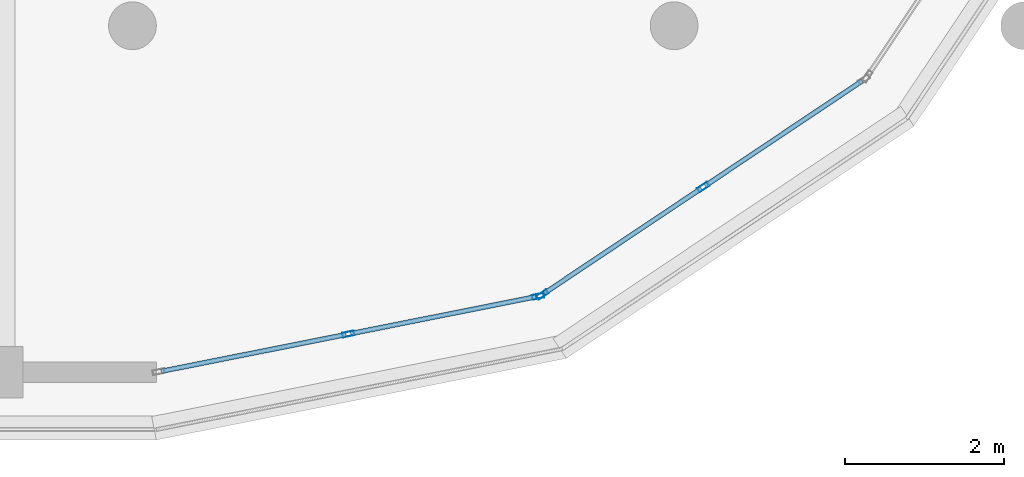
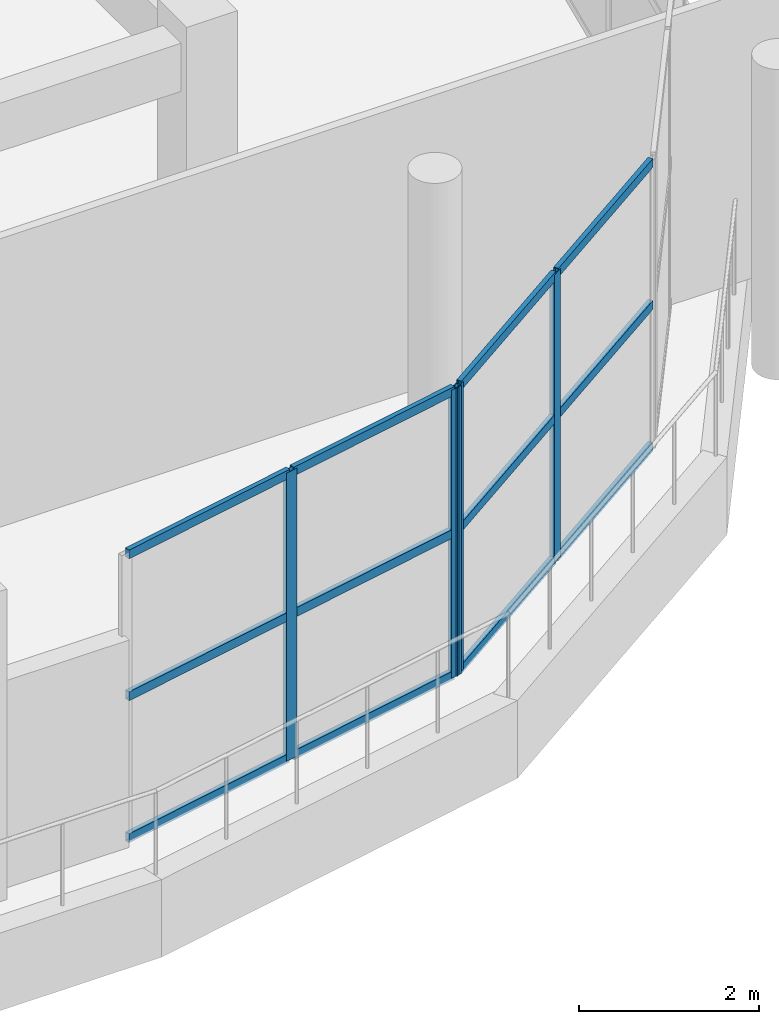
# One storey, part 30 of 63: 16 members, 2 elements without a shape of their own.
"""IFC4 building model written with IfcOpenShell, lengths in metres."""

import ifcopenshell
import ifcopenshell.guid

model = None  # the IFC model being written
_history = None  # IfcOwnerHistory: only IFC2X3 demands one
_inside = {}  # id of a spatial element -> (the spatial element, [elements in it])
_under = {}  # id of a project, library or spatial element -> (it, [spatial elements below it])
_declared = {}  # id of a project -> (the project, [libraries it declares])
_typed = {}  # id of a type object -> (the type object, [elements of that type])
_made_of = {}  # id of a material, layer set ... -> (it, [elements and type objects made of it])


def new_model(schema):
    """Start an empty IFC model of exactly this schema.

    Asked for "IFC4X3", IfcOpenShell would pick the latest addendum, in which some entities
    have other attributes; the version numbers below select the first issue.
    IFC2X3 requires an IfcOwnerHistory on every rooted entity: one is made here for all.
    """
    global model, _history
    if schema == "IFC4X3":
        model = ifcopenshell.file(schema_version=(4, 3, 0, 0))
    else:
        model = ifcopenshell.file(schema=schema)
    _inside.clear()
    _under.clear()
    _declared.clear()
    _typed.clear()
    _made_of.clear()
    _history = None
    if model.schema == "IFC2X3":
        org = make("IfcOrganization", Name="unknown")
        user = make(
            "IfcPersonAndOrganization",
            ThePerson=make("IfcPerson", FamilyName="unknown"),
            TheOrganization=org,
        )
        app = make(
            "IfcApplication",
            ApplicationDeveloper=org,
            Version="unknown",
            ApplicationFullName="unknown",
            ApplicationIdentifier="unknown",
        )
        _history = make(
            "IfcOwnerHistory",
            OwningUser=user,
            OwningApplication=app,
            ChangeAction="ADDED",
            CreationDate=0,
        )
    return model


def make(cls, **values):
    """One entity of the class cls with the attributes given. An attribute that is None is left unset."""
    return model.create_entity(
        cls, **{name: value for name, value in values.items() if value is not None}
    )


def rooted(cls, **values):
    """An entity with a GlobalId (a new one), such as an element, a storey or a relation."""
    return make(cls, GlobalId=ifcopenshell.guid.new(), OwnerHistory=_history, **values)


def si_unit(unit_type, name, prefix=None):
    """IfcSIUnit, for example si_unit("LENGTHUNIT", "METRE", prefix="MILLI")."""
    return make("IfcSIUnit", UnitType=unit_type, Prefix=prefix, Name=name)


def assignment(units):
    """IfcUnitAssignment: the units of a project."""
    return None if units is None else make("IfcUnitAssignment", Units=units)


def point(xyz):
    """IfcCartesianPoint."""
    return None if xyz is None else make("IfcCartesianPoint", Coordinates=xyz)


def direction(xyz):
    """IfcDirection."""
    return None if xyz is None else make("IfcDirection", DirectionRatios=xyz)


def frame(location, z_axis=None, x_axis=None):
    """IfcAxis2Placement3D, a coordinate frame: its origin and axes. An axis left out is left unset."""
    return make(
        "IfcAxis2Placement3D",
        Location=point(location),
        Axis=direction(z_axis),
        RefDirection=direction(x_axis),
    )


def frame_2d(location, x_axis=None):
    """IfcAxis2Placement2D, a coordinate frame in the plane: its origin and x axis."""
    return make(
        "IfcAxis2Placement2D", Location=point(location), RefDirection=direction(x_axis)
    )


def origin():
    """The frame at (0, 0, 0) with its axes left unset."""
    return frame((0.0, 0.0, 0.0))


def origin_2d():
    """The frame at (0, 0) in the plane with its x axis left unset."""
    return frame_2d((0.0, 0.0))


def place(relative_to, where):
    """IfcLocalPlacement: puts the frame where relative to a parent placement (None: the world)."""
    return make(
        "IfcLocalPlacement", PlacementRelTo=relative_to, RelativePlacement=where
    )


def context(
    kind, dimensions, precision=None, world=None, true_north=None, identifier=None
):
    """IfcGeometricRepresentationContext, for example the 3D "Model" context."""
    return make(
        "IfcGeometricRepresentationContext",
        ContextIdentifier=identifier,
        ContextType=kind,
        CoordinateSpaceDimension=dimensions,
        Precision=precision,
        WorldCoordinateSystem=world,
        TrueNorth=true_north,
    )


def subcontext(parent, identifier, kind, view, scale=None):
    """IfcGeometricRepresentationSubContext, for example "Body" below "Model"."""
    return make(
        "IfcGeometricRepresentationSubContext",
        ContextIdentifier=identifier,
        ContextType=kind,
        ParentContext=parent,
        TargetScale=scale,
        TargetView=view,
    )


def project(units=None, contexts=None):
    """IfcProject with its units and contexts."""
    return rooted(
        "IfcProject",
        Name="project",
        RepresentationContexts=contexts,
        UnitsInContext=assignment(units),
    )


def spatial(cls, under=None, at=None, **own):
    """A site, building, storey or space (cls), placed at a placement, below another one or the project."""
    s = rooted(cls, ObjectPlacement=at, **own)
    if under is not None:
        _under.setdefault(under.id(), (under, []))[1].append(s)
    return s


def profile(cls, at=None, kind="AREA", **sizes):
    """A parametric profile (cls). Its sizes go by their IFC names, for example OverallWidth=200.0."""
    return make(cls, ProfileType=kind, Position=at, **sizes)


def hollow_rectangle(**sizes):
    """IfcRectangleHollowProfileDef."""
    return profile("IfcRectangleHollowProfileDef", **sizes)


def extrude(swept, where, along, depth):
    """IfcExtrudedAreaSolid: the profile swept, set in the frame where, extruded along a direction by depth."""
    return make(
        "IfcExtrudedAreaSolid",
        SweptArea=swept,
        Position=where,
        ExtrudedDirection=direction(along),
        Depth=depth,
    )


def shape(context_of_items, identifier, shape_type, items):
    """IfcShapeRepresentation: the items that make up one representation, for example the "Body"."""
    return make(
        "IfcShapeRepresentation",
        ContextOfItems=context_of_items,
        RepresentationIdentifier=identifier,
        RepresentationType=shape_type,
        Items=items,
    )


def material(Name=None, Category=None):
    """IfcMaterial."""
    return make("IfcMaterial", Name=Name, Category=Category)


def layer(
    of_material, thickness, ventilated=None, Name=None, Category=None, Priority=None
):
    """IfcMaterialLayer: one layer of a wall or slab, of a material (None: an air gap)."""
    return make(
        "IfcMaterialLayer",
        Material=of_material,
        LayerThickness=thickness,
        IsVentilated=ventilated,
        Name=Name,
        Category=Category,
        Priority=Priority,
    )


def layer_set(layers, Name=None):
    """IfcMaterialLayerSet."""
    return make("IfcMaterialLayerSet", MaterialLayers=layers, LayerSetName=Name)


def material_profile(
    of_material, cross_section, Name=None, Category=None, Priority=None
):
    """IfcMaterialProfile: a cross section and its material."""
    return make(
        "IfcMaterialProfile",
        Name=Name,
        Material=of_material,
        Profile=cross_section,
        Priority=Priority,
        Category=Category,
    )


def profile_set(profiles, Name=None, composite=None):
    """IfcMaterialProfileSet."""
    return make(
        "IfcMaterialProfileSet",
        Name=Name,
        MaterialProfiles=profiles,
        CompositeProfile=composite,
    )


def made_of(thing, what):
    """Note that an element or type object is made of a material, layer set ...; save() writes the relation."""
    if what is not None:
        _made_of.setdefault(what.id(), (what, []))[1].append(thing)
    return thing


def type_object(cls, material=None, **own):
    """A type object (cls), such as IfcWallType, which elements share."""
    return made_of(rooted(cls, **own), material)


def element(
    cls,
    number,
    at=None,
    inside=None,
    cuts=None,
    type_object=None,
    material=None,
    context=None,
    identifier="Body",
    shape_type=None,
    held_by="IfcProductDefinitionShape",
    body=None,
    shapes=None,
    **own,
):
    """One element of the class cls, such as IfcWall. Its Tag is "e" and its number.

    at: its placement. inside: the storey or other place that contains it. cuts: it is an
    opening in that element (IfcRelVoidsElement). A single representation is given by context,
    identifier, shape_type and body (its items); several are given by shapes. held_by: the class
    of the entity that holds the representations. save() writes the other relations.
    """
    e = rooted(cls, Tag="e%d" % number, ObjectPlacement=at, **own)
    if body is not None:
        shapes = [shape(context, identifier, shape_type, body)]
    if shapes is not None:
        e.Representation = make(held_by, Representations=shapes)
    if inside is not None:
        _inside.setdefault(inside.id(), (inside, []))[1].append(e)
    if cuts is not None:
        rooted(
            "IfcRelVoidsElement", RelatingBuildingElement=cuts, RelatedOpeningElement=e
        )
    if type_object is not None:
        _typed.setdefault(type_object.id(), (type_object, []))[1].append(e)
    return made_of(e, material)


def aggregate(whole, parts):
    """IfcRelAggregates: a whole, such as a stair, and the parts it consists of."""
    return rooted("IfcRelAggregates", RelatingObject=whole, RelatedObjects=parts)


def save(model, path):
    """Write the relations noted so far, then the file.

    IfcRelAggregates (storeys below a building ...), IfcRelContainedInSpatialStructure (elements
    in a storey), IfcRelDefinesByType, IfcRelAssociatesMaterial and IfcRelDeclares: one each for
    every whole, place, type object, material and project.
    """
    for whole, parts in _under.values():
        aggregate(whole, parts)
    for where, things in _inside.values():
        rooted(
            "IfcRelContainedInSpatialStructure",
            RelatedElements=things,
            RelatingStructure=where,
        )
    for kind, things in _typed.values():
        rooted("IfcRelDefinesByType", RelatedObjects=things, RelatingType=kind)
    for what, things in _made_of.values():
        rooted("IfcRelAssociatesMaterial", RelatedObjects=things, RelatingMaterial=what)
    for by, libraries in _declared.values():
        rooted("IfcRelDeclares", RelatingContext=by, RelatedDefinitions=libraries)
    model.write(path)


model = new_model("IFC4")

# Units and contexts
model_context = context("Model", 3, precision=1e-05, world=origin(), true_north=direction((0.0, 1.0)))
body_context = subcontext(model_context, "Body", "Model", "MODEL_VIEW")
ifc_project = project(units=[si_unit("LENGTHUNIT", "METRE"), si_unit("AREAUNIT", "SQUARE_METRE"), si_unit("VOLUMEUNIT", "CUBIC_METRE"), si_unit("PLANEANGLEUNIT", "RADIAN"), si_unit("MASSUNIT", "GRAM", prefix="KILO")], contexts=[model_context])

# Site, building, storey
site_placement = place(None, origin())
site = spatial("IfcSite", under=ifc_project, at=site_placement, CompositionType="ELEMENT")
building_placement = place(site_placement, origin())
building = spatial("IfcBuilding", under=site, at=building_placement, Name="Zizhar Promenade General Hospital", CompositionType="ELEMENT")
storey_placement = place(building_placement, frame((0.0, 0.0, 18.0)))
storey = spatial("IfcBuildingStorey", under=building, at=storey_placement, Name="L04", CompositionType="ELEMENT", Elevation=18.0)

# Curtain wall, members
ifc_material_1 = material(Name="Anodised aluminium 6063-T6 and low-E glass", Category="aluminium")
ifc_layer = layer(ifc_material_1, 0.159912109375)
ifc_layer_set = layer_set([ifc_layer], Name="Anodised aluminium 6063-T6 and low-E glass")
curtain_wall_type = type_object("IfcCurtainWallType", Name="CW-WARD-ARC", PredefinedType="NOTDEFINED", material=ifc_layer_set)
curtain_wall_1_placement = place(storey_placement, origin())
curtain_wall_1 = element("IfcCurtainWall", 1, at=curtain_wall_1_placement, inside=storey, type_object=curtain_wall_type, Name="Ward Semicircular End Glazing L04-01", PredefinedType="NOTDEFINED")
ifc_material_2 = material(Name="Anodised aluminium 6063-T6", Category="aluminium")
ifc_material_profile_1 = material_profile(ifc_material_2, hollow_rectangle(XDim=0.06005859375, YDim=0.14990234375, WallThickness=0.00390625, at=origin_2d()))
ifc_profile_set_1 = profile_set([ifc_material_profile_1], Name="Anodised aluminium 6063-T6")
member_type_1 = type_object("IfcMemberType", Name="CWM-ALU-150x60", PredefinedType="MULLION", material=ifc_profile_set_1)
member_1_placement = place(storey_placement, frame((123.79248046875, 0.953369140625, 0.0), z_axis=(0.0, 0.0, 1.0), x_axis=(0.195087259275, -0.980785889615, 0.0)))
member_1 = element("IfcMember", 2, at=member_1_placement, type_object=member_type_1, Name="CW-12 mullion 1", PredefinedType="MULLION", context=body_context, shape_type="SweptSolid", body=[
    extrude(hollow_rectangle(XDim=0.06005859375, YDim=0.14990234375, WallThickness=0.00390625, at=origin_2d()), origin(), (0.0, 0.0, 1.0), 3.89990234375),
])
member_2_placement = place(storey_placement, frame((121.410888671875, 0.4794921875, 0.0), z_axis=(0.0, 0.0, 1.0), x_axis=(0.195087259275, -0.980785889615, 0.0)))
member_2 = element("IfcMember", 3, at=member_2_placement, type_object=member_type_1, Name="CW-12 mullion 2", PredefinedType="MULLION", context=body_context, shape_type="SweptSolid", body=[
    extrude(hollow_rectangle(XDim=0.06005859375, YDim=0.14990234375, WallThickness=0.00390625, at=origin_2d()), origin(), (0.0, 0.0, 1.0), 3.89990234375),
])

curtain_wall_2_placement = place(storey_placement, origin())
curtain_wall_2 = element("IfcCurtainWall", 4, at=curtain_wall_2_placement, inside=storey, type_object=curtain_wall_type, Name="Ward Semicircular End Glazing L04-02", PredefinedType="NOTDEFINED")
member_3_placement = place(storey_placement, frame((125.86572265625, 2.32470703125, 0.0), z_axis=(0.0, 0.0, 1.0), x_axis=(0.555582352095, -0.831461514468, 0.0)))
member_3 = element("IfcMember", 5, at=member_3_placement, type_object=member_type_1, Name="CW-12 mullion 2", PredefinedType="MULLION", context=body_context, shape_type="SweptSolid", body=[
    extrude(hollow_rectangle(XDim=0.06005859375, YDim=0.14990234375, WallThickness=0.00390625, at=origin_2d()), origin(), (0.0, 0.0, 1.0), 3.89990234375),
])
member_4_placement = place(storey_placement, frame((123.8466796875, 0.975830078125, 0.0), z_axis=(0.0, 0.0, 1.0), x_axis=(0.555582352095, -0.831461514468, 0.0)))
member_4 = element("IfcMember", 6, at=member_4_placement, type_object=member_type_1, Name="CW-12 mullion 3", PredefinedType="MULLION", context=body_context, shape_type="SweptSolid", body=[
    extrude(hollow_rectangle(XDim=0.06005859375, YDim=0.14990234375, WallThickness=0.00390625, at=origin_2d()), origin(), (0.0, 0.0, 1.0), 3.89990234375),
])

# Member
ifc_material_3 = material(Name="Anodised aluminium 6063-T6", Category="aluminium")
ifc_material_profile_2 = material_profile(ifc_material_3, hollow_rectangle(XDim=0.06005859375, YDim=0.1201171875, WallThickness=0.00390625, at=origin_2d()))
ifc_profile_set_2 = profile_set([ifc_material_profile_2], Name="Anodised aluminium 6063-T6")
member_type_2 = type_object("IfcMemberType", Name="CWT-ALU-120x60", PredefinedType="USERDEFINED", material=ifc_profile_set_2)
member_5_placement = place(storey_placement, frame((123.762939453125, 0.947509765625, 0.030029296875), z_axis=(-0.98077054851, -0.195164369634, 0.0), x_axis=(0.195164369634, -0.98077054851, 0.0)))
member_5 = element("IfcMember", 7, at=member_5_placement, type_object=member_type_2, Name="CW-12 transom 1.1", ObjectType="TRANSOM", PredefinedType="USERDEFINED", context=body_context, shape_type="SweptSolid", body=[
    extrude(hollow_rectangle(XDim=0.06005859375, YDim=0.1201171875, WallThickness=0.00390625, at=origin_2d()), origin(), (0.0, 0.0, 1.0), 2.3681640625),
])

member_6_placement = place(storey_placement, frame((123.762939453125, 0.947509765625, 1.949951171875), z_axis=(-0.98077054851, -0.195164369634, 0.0), x_axis=(0.195164369634, -0.98077054851, 0.0)))
member_6 = element("IfcMember", 8, at=member_6_placement, type_object=member_type_2, Name="CW-12 transom 1.2", ObjectType="TRANSOM", PredefinedType="USERDEFINED", context=body_context, shape_type="SweptSolid", body=[
    extrude(hollow_rectangle(XDim=0.06005859375, YDim=0.1201171875, WallThickness=0.00390625, at=origin_2d()), origin(), (0.0, 0.0, 1.0), 2.3681640625),
])

member_7_placement = place(storey_placement, frame((123.762939453125, 0.947509765625, 3.8701171875), z_axis=(-0.98077054851, -0.195164369634, 0.0), x_axis=(0.195164369634, -0.98077054851, 0.0)))
member_7 = element("IfcMember", 9, at=member_7_placement, type_object=member_type_2, Name="CW-12 transom 1.3", ObjectType="TRANSOM", PredefinedType="USERDEFINED", context=body_context, shape_type="SweptSolid", body=[
    extrude(hollow_rectangle(XDim=0.06005859375, YDim=0.1201171875, WallThickness=0.00390625, at=origin_2d()), origin(), (0.0, 0.0, 1.0), 2.3681640625),
])

member_8_placement = place(storey_placement, frame((121.381591796875, 0.4736328125, 0.030029296875), z_axis=(-0.980794200422, -0.195045472693, 0.0), x_axis=(0.195045472693, -0.980794200422, 0.0)))
member_8 = element("IfcMember", 10, at=member_8_placement, type_object=member_type_2, Name="CW-12 transom 2.1", ObjectType="TRANSOM", PredefinedType="USERDEFINED", context=body_context, shape_type="SweptSolid", body=[
    extrude(hollow_rectangle(XDim=0.06005859375, YDim=0.1201171875, WallThickness=0.00390625, at=origin_2d()), origin(), (0.0, 0.0, 1.0), 2.3681640625),
])

member_9_placement = place(storey_placement, frame((121.381591796875, 0.4736328125, 1.949951171875), z_axis=(-0.980794200422, -0.195045472693, 0.0), x_axis=(0.195045472693, -0.980794200422, 0.0)))
member_9 = element("IfcMember", 11, at=member_9_placement, type_object=member_type_2, Name="CW-12 transom 2.2", ObjectType="TRANSOM", PredefinedType="USERDEFINED", context=body_context, shape_type="SweptSolid", body=[
    extrude(hollow_rectangle(XDim=0.06005859375, YDim=0.1201171875, WallThickness=0.00390625, at=origin_2d()), origin(), (0.0, 0.0, 1.0), 2.3681640625),
])

member_10_placement = place(storey_placement, frame((121.381591796875, 0.4736328125, 3.8701171875), z_axis=(-0.980794200422, -0.195045472693, 0.0), x_axis=(0.195045472693, -0.980794200422, 0.0)))
member_10 = element("IfcMember", 12, at=member_10_placement, type_object=member_type_2, Name="CW-12 transom 2.3", ObjectType="TRANSOM", PredefinedType="USERDEFINED", context=body_context, shape_type="SweptSolid", body=[
    extrude(hollow_rectangle(XDim=0.06005859375, YDim=0.1201171875, WallThickness=0.00390625, at=origin_2d()), origin(), (0.0, 0.0, 1.0), 2.3681640625),
])

aggregate(curtain_wall_1, [member_1, member_2, member_5, member_6, member_7, member_8, member_9, member_10])

member_11_placement = place(storey_placement, frame((127.859619140625, 3.6572265625, 0.030029296875), z_axis=(-0.831462978956, -0.555580160396, 0.0), x_axis=(0.555580160396, -0.831462978956, 0.0)))
member_11 = element("IfcMember", 13, at=member_11_placement, type_object=member_type_2, Name="CW-12 transom 1.1", ObjectType="TRANSOM", PredefinedType="USERDEFINED", context=body_context, shape_type="SweptSolid", body=[
    extrude(hollow_rectangle(XDim=0.06005859375, YDim=0.1201171875, WallThickness=0.00390625, at=origin_2d()), origin(), (0.0, 0.0, 1.0), 2.3681640625),
])

member_12_placement = place(storey_placement, frame((127.859619140625, 3.6572265625, 1.949951171875), z_axis=(-0.831462978956, -0.555580160396, 0.0), x_axis=(0.555580160396, -0.831462978956, 0.0)))
member_12 = element("IfcMember", 14, at=member_12_placement, type_object=member_type_2, Name="CW-12 transom 1.2", ObjectType="TRANSOM", PredefinedType="USERDEFINED", context=body_context, shape_type="SweptSolid", body=[
    extrude(hollow_rectangle(XDim=0.06005859375, YDim=0.1201171875, WallThickness=0.00390625, at=origin_2d()), origin(), (0.0, 0.0, 1.0), 2.3681640625),
])

member_13_placement = place(storey_placement, frame((127.859619140625, 3.6572265625, 3.8701171875), z_axis=(-0.831462978956, -0.555580160396, 0.0), x_axis=(0.555580160396, -0.831462978956, 0.0)))
member_13 = element("IfcMember", 15, at=member_13_placement, type_object=member_type_2, Name="CW-12 transom 1.3", ObjectType="TRANSOM", PredefinedType="USERDEFINED", context=body_context, shape_type="SweptSolid", body=[
    extrude(hollow_rectangle(XDim=0.06005859375, YDim=0.1201171875, WallThickness=0.00390625, at=origin_2d()), origin(), (0.0, 0.0, 1.0), 2.3681640625),
])

member_14_placement = place(storey_placement, frame((125.8408203125, 2.30810546875, 0.030029296875), z_axis=(-0.831494797197, -0.555532539312, 0.0), x_axis=(0.555532539312, -0.831494797197, 0.0)))
member_14 = element("IfcMember", 16, at=member_14_placement, type_object=member_type_2, Name="CW-12 transom 2.1", ObjectType="TRANSOM", PredefinedType="USERDEFINED", context=body_context, shape_type="SweptSolid", body=[
    extrude(hollow_rectangle(XDim=0.06005859375, YDim=0.1201171875, WallThickness=0.00390625, at=origin_2d()), origin(), (0.0, 0.0, 1.0), 2.368408203125),
])

member_15_placement = place(storey_placement, frame((125.8408203125, 2.30810546875, 1.949951171875), z_axis=(-0.831494797197, -0.555532539312, 0.0), x_axis=(0.555532539312, -0.831494797197, 0.0)))
member_15 = element("IfcMember", 17, at=member_15_placement, type_object=member_type_2, Name="CW-12 transom 2.2", ObjectType="TRANSOM", PredefinedType="USERDEFINED", context=body_context, shape_type="SweptSolid", body=[
    extrude(hollow_rectangle(XDim=0.06005859375, YDim=0.1201171875, WallThickness=0.00390625, at=origin_2d()), origin(), (0.0, 0.0, 1.0), 2.368408203125),
])

member_16_placement = place(storey_placement, frame((125.8408203125, 2.30810546875, 3.8701171875), z_axis=(-0.831494797197, -0.555532539312, 0.0), x_axis=(0.555532539312, -0.831494797197, 0.0)))
member_16 = element("IfcMember", 18, at=member_16_placement, type_object=member_type_2, Name="CW-12 transom 2.3", ObjectType="TRANSOM", PredefinedType="USERDEFINED", context=body_context, shape_type="SweptSolid", body=[
    extrude(hollow_rectangle(XDim=0.06005859375, YDim=0.1201171875, WallThickness=0.00390625, at=origin_2d()), origin(), (0.0, 0.0, 1.0), 2.368408203125),
])

aggregate(curtain_wall_2, [member_3, member_4, member_11, member_12, member_13, member_14, member_15, member_16])

save(model, "model.ifc")
